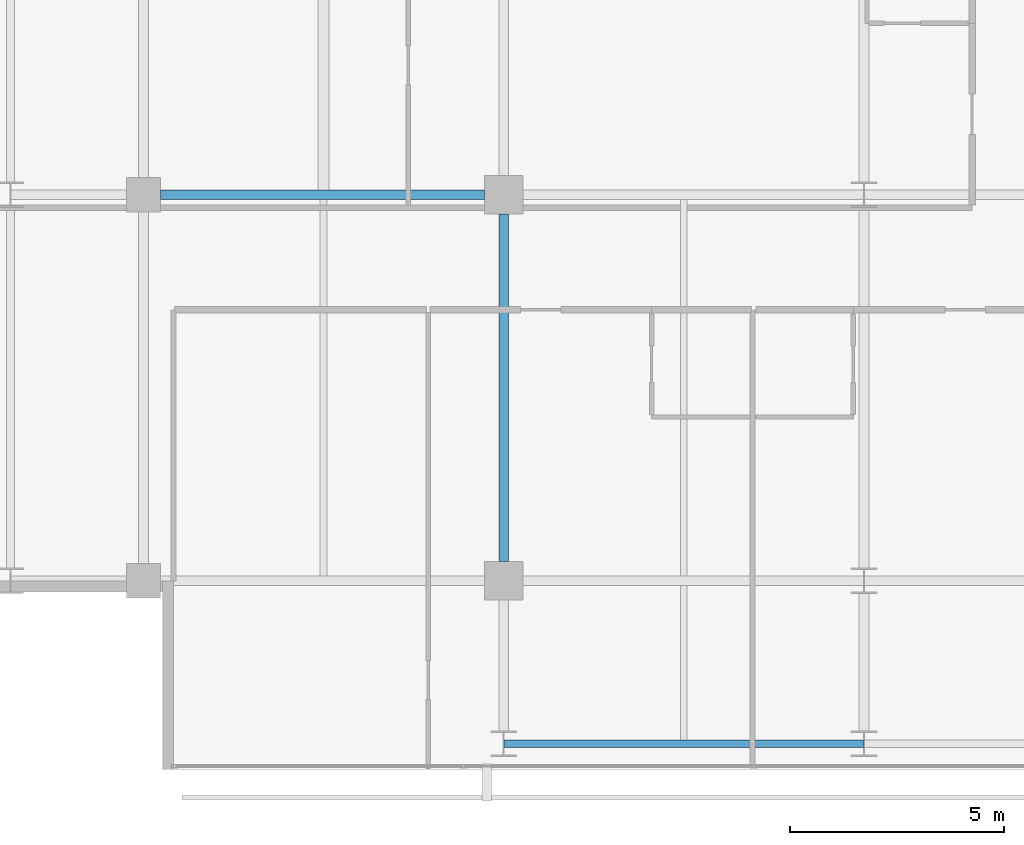
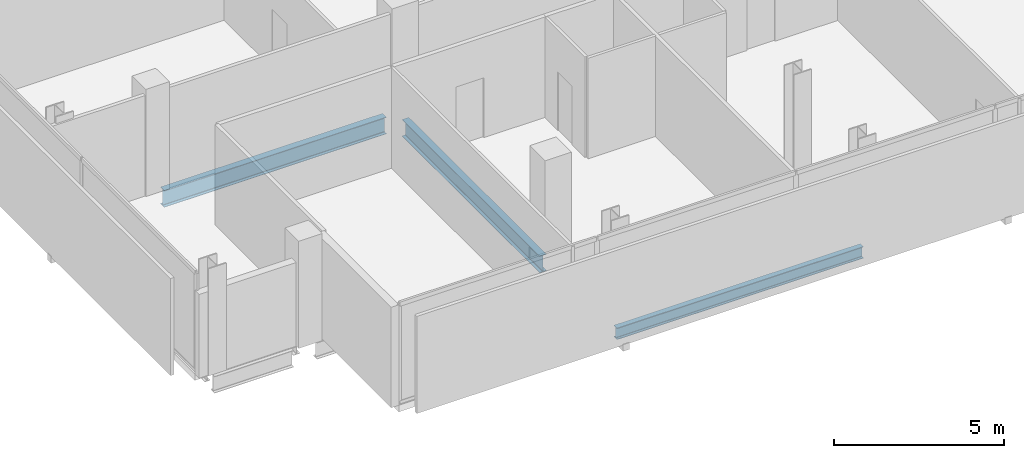
# One storey, part 5 of 33: 3 beams.
"""IFC4 building model written with IfcOpenShell, lengths in metres."""

import ifcopenshell
import ifcopenshell.guid

model = None  # the IFC model being written
_history = None  # IfcOwnerHistory: only IFC2X3 demands one
_inside = {}  # id of a spatial element -> (the spatial element, [elements in it])
_under = {}  # id of a project, library or spatial element -> (it, [spatial elements below it])
_declared = {}  # id of a project -> (the project, [libraries it declares])
_typed = {}  # id of a type object -> (the type object, [elements of that type])
_made_of = {}  # id of a material, layer set ... -> (it, [elements and type objects made of it])


def new_model(schema):
    """Start an empty IFC model of exactly this schema.

    Asked for "IFC4X3", IfcOpenShell would pick the latest addendum, in which some entities
    have other attributes; the version numbers below select the first issue.
    IFC2X3 requires an IfcOwnerHistory on every rooted entity: one is made here for all.
    """
    global model, _history
    if schema == "IFC4X3":
        model = ifcopenshell.file(schema_version=(4, 3, 0, 0))
    else:
        model = ifcopenshell.file(schema=schema)
    _inside.clear()
    _under.clear()
    _declared.clear()
    _typed.clear()
    _made_of.clear()
    _history = None
    if model.schema == "IFC2X3":
        org = make("IfcOrganization", Name="unknown")
        user = make(
            "IfcPersonAndOrganization",
            ThePerson=make("IfcPerson", FamilyName="unknown"),
            TheOrganization=org,
        )
        app = make(
            "IfcApplication",
            ApplicationDeveloper=org,
            Version="unknown",
            ApplicationFullName="unknown",
            ApplicationIdentifier="unknown",
        )
        _history = make(
            "IfcOwnerHistory",
            OwningUser=user,
            OwningApplication=app,
            ChangeAction="ADDED",
            CreationDate=0,
        )
    return model


def make(cls, **values):
    """One entity of the class cls with the attributes given. An attribute that is None is left unset."""
    return model.create_entity(
        cls, **{name: value for name, value in values.items() if value is not None}
    )


def rooted(cls, **values):
    """An entity with a GlobalId (a new one), such as an element, a storey or a relation."""
    return make(cls, GlobalId=ifcopenshell.guid.new(), OwnerHistory=_history, **values)


def si_unit(unit_type, name, prefix=None):
    """IfcSIUnit, for example si_unit("LENGTHUNIT", "METRE", prefix="MILLI")."""
    return make("IfcSIUnit", UnitType=unit_type, Prefix=prefix, Name=name)


def assignment(units):
    """IfcUnitAssignment: the units of a project."""
    return None if units is None else make("IfcUnitAssignment", Units=units)


def point(xyz):
    """IfcCartesianPoint."""
    return None if xyz is None else make("IfcCartesianPoint", Coordinates=xyz)


def direction(xyz):
    """IfcDirection."""
    return None if xyz is None else make("IfcDirection", DirectionRatios=xyz)


def frame(location, z_axis=None, x_axis=None):
    """IfcAxis2Placement3D, a coordinate frame: its origin and axes. An axis left out is left unset."""
    return make(
        "IfcAxis2Placement3D",
        Location=point(location),
        Axis=direction(z_axis),
        RefDirection=direction(x_axis),
    )


def frame_2d(location, x_axis=None):
    """IfcAxis2Placement2D, a coordinate frame in the plane: its origin and x axis."""
    return make(
        "IfcAxis2Placement2D", Location=point(location), RefDirection=direction(x_axis)
    )


def origin():
    """The frame at (0, 0, 0) with its axes left unset."""
    return frame((0.0, 0.0, 0.0))


def origin_2d():
    """The frame at (0, 0) in the plane with its x axis left unset."""
    return frame_2d((0.0, 0.0))


def place(relative_to, where):
    """IfcLocalPlacement: puts the frame where relative to a parent placement (None: the world)."""
    return make(
        "IfcLocalPlacement", PlacementRelTo=relative_to, RelativePlacement=where
    )


def context(
    kind, dimensions, precision=None, world=None, true_north=None, identifier=None
):
    """IfcGeometricRepresentationContext, for example the 3D "Model" context."""
    return make(
        "IfcGeometricRepresentationContext",
        ContextIdentifier=identifier,
        ContextType=kind,
        CoordinateSpaceDimension=dimensions,
        Precision=precision,
        WorldCoordinateSystem=world,
        TrueNorth=true_north,
    )


def subcontext(parent, identifier, kind, view, scale=None):
    """IfcGeometricRepresentationSubContext, for example "Body" below "Model"."""
    return make(
        "IfcGeometricRepresentationSubContext",
        ContextIdentifier=identifier,
        ContextType=kind,
        ParentContext=parent,
        TargetScale=scale,
        TargetView=view,
    )


def project(units=None, contexts=None):
    """IfcProject with its units and contexts."""
    return rooted(
        "IfcProject",
        Name="project",
        RepresentationContexts=contexts,
        UnitsInContext=assignment(units),
    )


def spatial(cls, under=None, at=None, **own):
    """A site, building, storey or space (cls), placed at a placement, below another one or the project."""
    s = rooted(cls, ObjectPlacement=at, **own)
    if under is not None:
        _under.setdefault(under.id(), (under, []))[1].append(s)
    return s


def profile(cls, at=None, kind="AREA", **sizes):
    """A parametric profile (cls). Its sizes go by their IFC names, for example OverallWidth=200.0."""
    return make(cls, ProfileType=kind, Position=at, **sizes)


def i_section(**sizes):
    """IfcIShapeProfileDef."""
    return profile("IfcIShapeProfileDef", **sizes)


def extrude(swept, where, along, depth):
    """IfcExtrudedAreaSolid: the profile swept, set in the frame where, extruded along a direction by depth."""
    return make(
        "IfcExtrudedAreaSolid",
        SweptArea=swept,
        Position=where,
        ExtrudedDirection=direction(along),
        Depth=depth,
    )


def shape(context_of_items, identifier, shape_type, items):
    """IfcShapeRepresentation: the items that make up one representation, for example the "Body"."""
    return make(
        "IfcShapeRepresentation",
        ContextOfItems=context_of_items,
        RepresentationIdentifier=identifier,
        RepresentationType=shape_type,
        Items=items,
    )


def material(Name=None, Category=None):
    """IfcMaterial."""
    return make("IfcMaterial", Name=Name, Category=Category)


def material_profile(
    of_material, cross_section, Name=None, Category=None, Priority=None
):
    """IfcMaterialProfile: a cross section and its material."""
    return make(
        "IfcMaterialProfile",
        Name=Name,
        Material=of_material,
        Profile=cross_section,
        Priority=Priority,
        Category=Category,
    )


def profile_set(profiles, Name=None, composite=None):
    """IfcMaterialProfileSet."""
    return make(
        "IfcMaterialProfileSet",
        Name=Name,
        MaterialProfiles=profiles,
        CompositeProfile=composite,
    )


def made_of(thing, what):
    """Note that an element or type object is made of a material, layer set ...; save() writes the relation."""
    if what is not None:
        _made_of.setdefault(what.id(), (what, []))[1].append(thing)
    return thing


def type_object(cls, material=None, **own):
    """A type object (cls), such as IfcWallType, which elements share."""
    return made_of(rooted(cls, **own), material)


def element(
    cls,
    number,
    at=None,
    inside=None,
    cuts=None,
    type_object=None,
    material=None,
    context=None,
    identifier="Body",
    shape_type=None,
    held_by="IfcProductDefinitionShape",
    body=None,
    shapes=None,
    **own,
):
    """One element of the class cls, such as IfcWall. Its Tag is "e" and its number.

    at: its placement. inside: the storey or other place that contains it. cuts: it is an
    opening in that element (IfcRelVoidsElement). A single representation is given by context,
    identifier, shape_type and body (its items); several are given by shapes. held_by: the class
    of the entity that holds the representations. save() writes the other relations.
    """
    e = rooted(cls, Tag="e%d" % number, ObjectPlacement=at, **own)
    if body is not None:
        shapes = [shape(context, identifier, shape_type, body)]
    if shapes is not None:
        e.Representation = make(held_by, Representations=shapes)
    if inside is not None:
        _inside.setdefault(inside.id(), (inside, []))[1].append(e)
    if cuts is not None:
        rooted(
            "IfcRelVoidsElement", RelatingBuildingElement=cuts, RelatedOpeningElement=e
        )
    if type_object is not None:
        _typed.setdefault(type_object.id(), (type_object, []))[1].append(e)
    return made_of(e, material)


def aggregate(whole, parts):
    """IfcRelAggregates: a whole, such as a stair, and the parts it consists of."""
    return rooted("IfcRelAggregates", RelatingObject=whole, RelatedObjects=parts)


def save(model, path):
    """Write the relations noted so far, then the file.

    IfcRelAggregates (storeys below a building ...), IfcRelContainedInSpatialStructure (elements
    in a storey), IfcRelDefinesByType, IfcRelAssociatesMaterial and IfcRelDeclares: one each for
    every whole, place, type object, material and project.
    """
    for whole, parts in _under.values():
        aggregate(whole, parts)
    for where, things in _inside.values():
        rooted(
            "IfcRelContainedInSpatialStructure",
            RelatedElements=things,
            RelatingStructure=where,
        )
    for kind, things in _typed.values():
        rooted("IfcRelDefinesByType", RelatedObjects=things, RelatingType=kind)
    for what, things in _made_of.values():
        rooted("IfcRelAssociatesMaterial", RelatedObjects=things, RelatingMaterial=what)
    for by, libraries in _declared.values():
        rooted("IfcRelDeclares", RelatingContext=by, RelatedDefinitions=libraries)
    model.write(path)


model = new_model("IFC4")

# Units and contexts
model_context = context("Model", 3, precision=1e-05, world=origin(), true_north=direction((0.0, 1.0)))
body_context = subcontext(model_context, "Body", "Model", "MODEL_VIEW")
ifc_project = project(units=[si_unit("LENGTHUNIT", "METRE"), si_unit("AREAUNIT", "SQUARE_METRE"), si_unit("VOLUMEUNIT", "CUBIC_METRE"), si_unit("PLANEANGLEUNIT", "RADIAN"), si_unit("MASSUNIT", "GRAM", prefix="KILO")], contexts=[model_context])

# Site, building, storey
site_placement = place(None, origin())
site = spatial("IfcSite", under=ifc_project, at=site_placement, CompositionType="ELEMENT")
building_placement = place(site_placement, origin())
building = spatial("IfcBuilding", under=site, at=building_placement, Name="Maruvema Waterfront Hotel and Observation Tower", CompositionType="ELEMENT")
storey_placement = place(building_placement, frame((0.0, 0.0, 169.75)))
storey = spatial("IfcBuildingStorey", under=building, at=storey_placement, Name="L41", CompositionType="ELEMENT", Elevation=169.75)

# Beams
ifc_material_1 = material(Name="Steel ASTM A572 Grade 50", Category="steel")
ifc_material_profile_1 = material_profile(ifc_material_1, i_section(OverallWidth=0.180908203125, OverallDepth=0.4169921875, WebThickness=0.010986328125, FlangeThickness=0.018310546875, FilletRadius=0.014892578125, at=origin_2d()), Name="W410x85.0")
ifc_profile_set_1 = profile_set([ifc_material_profile_1], Name="Steel ASTM A572 Grade 50")
beam_type_1 = type_object("IfcBeamType", Name="Perimeter Spandrel Beam W410x85.0", PredefinedType="SPANDREL", material=ifc_profile_set_1)
beam_1_placement = place(storey_placement, frame((25.21240234375, 5.199951171875, -0.448486328125), z_axis=(1.0, 0.0, 0.0), x_axis=(0.0, 1.0, 0.0)))
element("IfcBeam", 1, at=beam_1_placement, inside=storey, type_object=beam_type_1, Name="L41 Floor Girder EW-01", PredefinedType="SPANDREL", context=body_context, shape_type="SweptSolid", body=[
    extrude(i_section(OverallWidth=0.180908203125, OverallDepth=0.4169921875, WebThickness=0.010986328125, FlangeThickness=0.018310546875, FilletRadius=0.014892578125, at=origin_2d()), origin(), (0.0, 0.0, 1.0), 8.375),
])
ifc_material_2 = material(Name="Steel ASTM A572 Grade 50", Category="steel")
ifc_material_profile_2 = material_profile(ifc_material_2, i_section(OverallWidth=0.22802734375, OverallDepth=0.60302734375, WebThickness=0.010498046875, FlangeThickness=0.014892578125, FilletRadius=0.01806640625, at=origin_2d()), Name="W610x101.0")
ifc_profile_set_2 = profile_set([ifc_material_profile_2], Name="Steel ASTM A572 Grade 50")
beam_type_2 = type_object("IfcBeamType", Name="Primary Floor Girder W610x101.0", PredefinedType="BEAM", material=ifc_profile_set_2)
beam_2_placement = place(storey_placement, frame((17.199951171875, 18.0, -0.54150390625), z_axis=(1.0, 0.0, 0.0), x_axis=(0.0, 1.0, 0.0)))
element("IfcBeam", 2, at=beam_2_placement, inside=storey, type_object=beam_type_2, Name="L41 Floor Girder EW-12", PredefinedType="BEAM", context=body_context, shape_type="SweptSolid", body=[
    extrude(i_section(OverallWidth=0.22802734375, OverallDepth=0.60302734375, WebThickness=0.010498046875, FlangeThickness=0.014892578125, FilletRadius=0.01806640625, at=origin_2d()), origin(), (0.0, 0.0, 1.0), 7.550048828125),
])
beam_3_placement = place(storey_placement, frame((25.199951171875, 9.449951171875, -0.54150390625), z_axis=(0.0, 1.0, 0.0), x_axis=(-1.0, 0.0, 0.0)))
element("IfcBeam", 3, at=beam_3_placement, inside=storey, type_object=beam_type_2, Name="L41 Floor Girder NS-10", PredefinedType="BEAM", context=body_context, shape_type="SweptSolid", body=[
    extrude(i_section(OverallWidth=0.22802734375, OverallDepth=0.60302734375, WebThickness=0.010498046875, FlangeThickness=0.014892578125, FilletRadius=0.01806640625, at=origin_2d()), origin(), (0.0, 0.0, 1.0), 8.10009765625),
])

save(model, "model.ifc")
